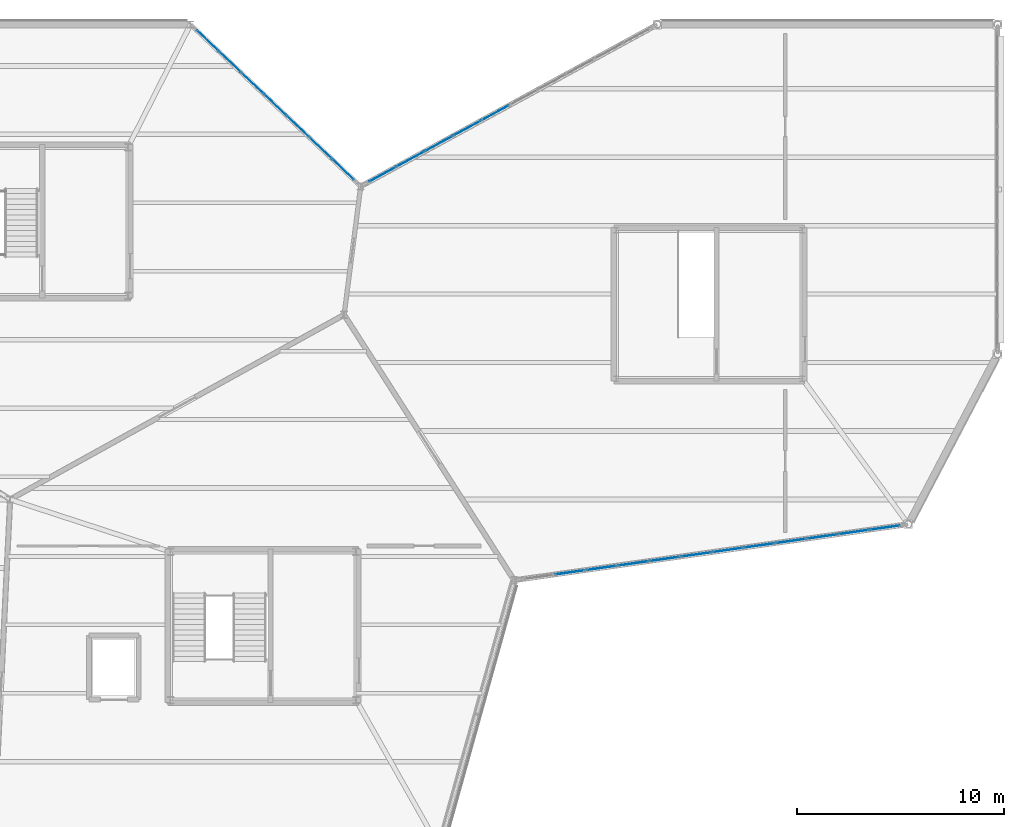
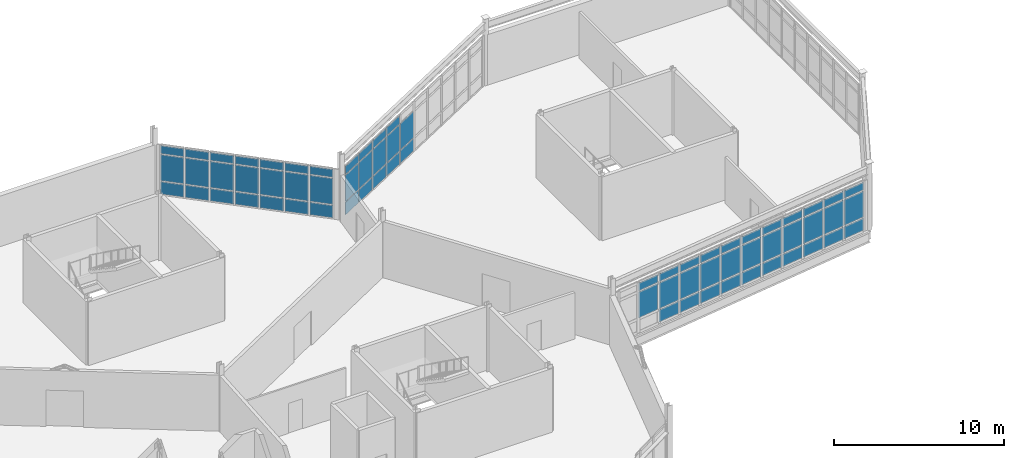
# One storey, part 82 of 114: 67 plates, 3 elements without a shape of their own.
"""IFC4 building model written with IfcOpenShell, lengths in metres."""

from ifc_helpers import new_model, si_unit, direction, frame, origin, origin_2d, place, context, subcontext, project, spatial, rectangle, extrude, material, layer, layer_set, type_object, element, aggregate, save


model = new_model("IFC4")

# Units and contexts
model_context = context("Model", 3, precision=1e-05, world=origin(), true_north=direction((0.0, 1.0)))
body_context = subcontext(model_context, "Body", "Model", "MODEL_VIEW")
ifc_project = project(units=[si_unit("LENGTHUNIT", "METRE"), si_unit("AREAUNIT", "SQUARE_METRE"), si_unit("VOLUMEUNIT", "CUBIC_METRE"), si_unit("PLANEANGLEUNIT", "RADIAN"), si_unit("MASSUNIT", "GRAM", prefix="KILO")], contexts=[model_context])

# Site, building, storey
site_placement = place(None, origin())
site = spatial("IfcSite", under=ifc_project, at=site_placement, CompositionType="ELEMENT")
building_placement = place(site_placement, origin())
building = spatial("IfcBuilding", under=site, at=building_placement, Name="Tameran Prism Museum", CompositionType="ELEMENT")
storey_placement = place(building_placement, frame((0.0, 0.0, 10.199951171875)))
storey = spatial("IfcBuildingStorey", under=building, at=storey_placement, Name="L02", CompositionType="ELEMENT", Elevation=10.199951171875)

# Curtain wall, plates
ifc_material_1 = material(Name="Anodised Aluminium 6063-T6 and Cyclone Solar Glass", Category="aluminium")
curtain_wall_type_1 = type_object("IfcCurtainWallType", Name="CW-FAC-1843x362", PredefinedType="USERDEFINED", material=ifc_material_1)
curtain_wall_1_placement = place(storey_placement, origin())
curtain_wall_1 = element("IfcCurtainWall", 1, at=curtain_wall_1_placement, inside=storey, type_object=curtain_wall_type_1, Name="Unitised Curtain Wall CW-102", ObjectType="UNITISED CURTAIN WALL", PredefinedType="USERDEFINED")
ifc_material_2 = material(Name="Low-E Laminated Solar Glass", Category="glass")
ifc_layer_1 = layer(ifc_material_2, 0.028076171875)
ifc_layer_set_1 = layer_set([ifc_layer_1])
plate_type_1 = type_object("IfcPlateType", Name="CW-PNL-G28", PredefinedType="CURTAIN_PANEL", material=ifc_layer_set_1)
plate_1_placement = place(storey_placement, frame((160.972900390625, 87.739990234375, 0.080078125), z_axis=(0.0, 0.0, 1.0), x_axis=(-0.990045842067, -0.1407452685, 0.0)))
plate_1 = element("IfcPlate", 2, at=plate_1_placement, type_object=plate_type_1, Name="CW-102 panel 1.1", PredefinedType="CURTAIN_PANEL", context=body_context, shape_type="SweptSolid", body=[
    extrude(rectangle(XDim=1.415771484375, YDim=0.028076171875, at=origin_2d()), origin(), (0.0, 0.0, 1.0), 0.8798828125),
])
plate_2_placement = place(storey_placement, frame((160.972900390625, 87.739990234375, 1.0400390625), z_axis=(0.0, 0.0, 1.0), x_axis=(-0.990045842067, -0.1407452685, 0.0)))
plate_2 = element("IfcPlate", 3, at=plate_2_placement, type_object=plate_type_1, Name="CW-102 panel 1.2", PredefinedType="CURTAIN_PANEL", context=body_context, shape_type="SweptSolid", body=[
    extrude(rectangle(XDim=1.415771484375, YDim=0.028076171875, at=origin_2d()), origin(), (0.0, 0.0, 1.0), 1.860107421875),
])
plate_3_placement = place(storey_placement, frame((160.972900390625, 87.739990234375, 2.97998046875), z_axis=(0.0, 0.0, 1.0), x_axis=(-0.990045842067, -0.1407452685, 0.0)))
plate_3 = element("IfcPlate", 4, at=plate_3_placement, type_object=plate_type_1, Name="CW-102 panel 1.3", PredefinedType="CURTAIN_PANEL", context=body_context, shape_type="SweptSolid", body=[
    extrude(rectangle(XDim=1.415771484375, YDim=0.028076171875, at=origin_2d()), origin(), (0.0, 0.0, 1.0), 0.56005859375),
])
plate_4_placement = place(storey_placement, frame((159.47216796875, 87.52685546875, 0.080078125), z_axis=(0.0, 0.0, 1.0), x_axis=(-0.990045842067, -0.1407452685, 0.0)))
plate_4 = element("IfcPlate", 5, at=plate_4_placement, type_object=plate_type_1, Name="CW-102 panel 2.1", PredefinedType="CURTAIN_PANEL", context=body_context, shape_type="SweptSolid", body=[
    extrude(rectangle(XDim=1.455810546875, YDim=0.028076171875, at=origin_2d()), origin(), (0.0, 0.0, 1.0), 0.8798828125),
])
plate_5_placement = place(storey_placement, frame((159.47216796875, 87.52685546875, 1.0400390625), z_axis=(0.0, 0.0, 1.0), x_axis=(-0.990045842067, -0.1407452685, 0.0)))
plate_5 = element("IfcPlate", 6, at=plate_5_placement, type_object=plate_type_1, Name="CW-102 panel 2.2", PredefinedType="CURTAIN_PANEL", context=body_context, shape_type="SweptSolid", body=[
    extrude(rectangle(XDim=1.455810546875, YDim=0.028076171875, at=origin_2d()), origin(), (0.0, 0.0, 1.0), 1.860107421875),
])
plate_6_placement = place(storey_placement, frame((159.47216796875, 87.52685546875, 2.97998046875), z_axis=(0.0, 0.0, 1.0), x_axis=(-0.990045842067, -0.1407452685, 0.0)))
plate_6 = element("IfcPlate", 7, at=plate_6_placement, type_object=plate_type_1, Name="CW-102 panel 2.3", PredefinedType="CURTAIN_PANEL", context=body_context, shape_type="SweptSolid", body=[
    extrude(rectangle(XDim=1.455810546875, YDim=0.028076171875, at=origin_2d()), origin(), (0.0, 0.0, 1.0), 0.56005859375),
])
plate_7_placement = place(storey_placement, frame((157.95166015625, 87.310546875, 0.080078125), z_axis=(0.0, 0.0, 1.0), x_axis=(-0.990045842067, -0.1407452685, 0.0)))
plate_7 = element("IfcPlate", 8, at=plate_7_placement, type_object=plate_type_1, Name="CW-102 panel 3.1", PredefinedType="CURTAIN_PANEL", context=body_context, shape_type="SweptSolid", body=[
    extrude(rectangle(XDim=1.455810546875, YDim=0.028076171875, at=origin_2d()), origin(), (0.0, 0.0, 1.0), 0.8798828125),
])
plate_8_placement = place(storey_placement, frame((157.95166015625, 87.310546875, 1.0400390625), z_axis=(0.0, 0.0, 1.0), x_axis=(-0.990045842067, -0.1407452685, 0.0)))
plate_8 = element("IfcPlate", 9, at=plate_8_placement, type_object=plate_type_1, Name="CW-102 panel 3.2", PredefinedType="CURTAIN_PANEL", context=body_context, shape_type="SweptSolid", body=[
    extrude(rectangle(XDim=1.455810546875, YDim=0.028076171875, at=origin_2d()), origin(), (0.0, 0.0, 1.0), 1.860107421875),
])
plate_9_placement = place(storey_placement, frame((157.95166015625, 87.310546875, 2.97998046875), z_axis=(0.0, 0.0, 1.0), x_axis=(-0.990045842067, -0.1407452685, 0.0)))
plate_9 = element("IfcPlate", 10, at=plate_9_placement, type_object=plate_type_1, Name="CW-102 panel 3.3", PredefinedType="CURTAIN_PANEL", context=body_context, shape_type="SweptSolid", body=[
    extrude(rectangle(XDim=1.455810546875, YDim=0.028076171875, at=origin_2d()), origin(), (0.0, 0.0, 1.0), 0.56005859375),
])
plate_10_placement = place(storey_placement, frame((156.430908203125, 87.094482421875, 0.080078125), z_axis=(0.0, 0.0, 1.0), x_axis=(-0.990045842067, -0.1407452685, 0.0)))
plate_10 = element("IfcPlate", 11, at=plate_10_placement, type_object=plate_type_1, Name="CW-102 panel 4.1", PredefinedType="CURTAIN_PANEL", context=body_context, shape_type="SweptSolid", body=[
    extrude(rectangle(XDim=1.455810546875, YDim=0.028076171875, at=origin_2d()), origin(), (0.0, 0.0, 1.0), 0.8798828125),
])
plate_11_placement = place(storey_placement, frame((156.430908203125, 87.094482421875, 1.0400390625), z_axis=(0.0, 0.0, 1.0), x_axis=(-0.990045842067, -0.1407452685, 0.0)))
plate_11 = element("IfcPlate", 12, at=plate_11_placement, type_object=plate_type_1, Name="CW-102 panel 4.2", PredefinedType="CURTAIN_PANEL", context=body_context, shape_type="SweptSolid", body=[
    extrude(rectangle(XDim=1.455810546875, YDim=0.028076171875, at=origin_2d()), origin(), (0.0, 0.0, 1.0), 1.860107421875),
])
plate_12_placement = place(storey_placement, frame((156.430908203125, 87.094482421875, 2.97998046875), z_axis=(0.0, 0.0, 1.0), x_axis=(-0.990045842067, -0.1407452685, 0.0)))
plate_12 = element("IfcPlate", 13, at=plate_12_placement, type_object=plate_type_1, Name="CW-102 panel 4.3", PredefinedType="CURTAIN_PANEL", context=body_context, shape_type="SweptSolid", body=[
    extrude(rectangle(XDim=1.455810546875, YDim=0.028076171875, at=origin_2d()), origin(), (0.0, 0.0, 1.0), 0.56005859375),
])
plate_13_placement = place(storey_placement, frame((154.910400390625, 86.878173828125, 0.080078125), z_axis=(0.0, 0.0, 1.0), x_axis=(-0.990045842067, -0.1407452685, 0.0)))
plate_13 = element("IfcPlate", 14, at=plate_13_placement, type_object=plate_type_1, Name="CW-102 panel 5.1", PredefinedType="CURTAIN_PANEL", context=body_context, shape_type="SweptSolid", body=[
    extrude(rectangle(XDim=1.455810546875, YDim=0.028076171875, at=origin_2d()), origin(), (0.0, 0.0, 1.0), 0.8798828125),
])
plate_14_placement = place(storey_placement, frame((154.910400390625, 86.878173828125, 1.0400390625), z_axis=(0.0, 0.0, 1.0), x_axis=(-0.990045842067, -0.1407452685, 0.0)))
plate_14 = element("IfcPlate", 15, at=plate_14_placement, type_object=plate_type_1, Name="CW-102 panel 5.2", PredefinedType="CURTAIN_PANEL", context=body_context, shape_type="SweptSolid", body=[
    extrude(rectangle(XDim=1.455810546875, YDim=0.028076171875, at=origin_2d()), origin(), (0.0, 0.0, 1.0), 1.860107421875),
])
plate_15_placement = place(storey_placement, frame((154.910400390625, 86.878173828125, 2.97998046875), z_axis=(0.0, 0.0, 1.0), x_axis=(-0.990045842067, -0.1407452685, 0.0)))
plate_15 = element("IfcPlate", 16, at=plate_15_placement, type_object=plate_type_1, Name="CW-102 panel 5.3", PredefinedType="CURTAIN_PANEL", context=body_context, shape_type="SweptSolid", body=[
    extrude(rectangle(XDim=1.455810546875, YDim=0.028076171875, at=origin_2d()), origin(), (0.0, 0.0, 1.0), 0.56005859375),
])
plate_16_placement = place(storey_placement, frame((153.389892578125, 86.662109375, 0.080078125), z_axis=(0.0, 0.0, 1.0), x_axis=(-0.990045842067, -0.1407452685, 0.0)))
plate_16 = element("IfcPlate", 17, at=plate_16_placement, type_object=plate_type_1, Name="CW-102 panel 6.1", PredefinedType="CURTAIN_PANEL", context=body_context, shape_type="SweptSolid", body=[
    extrude(rectangle(XDim=1.455810546875, YDim=0.028076171875, at=origin_2d()), origin(), (0.0, 0.0, 1.0), 0.8798828125),
])
plate_17_placement = place(storey_placement, frame((153.389892578125, 86.662109375, 1.0400390625), z_axis=(0.0, 0.0, 1.0), x_axis=(-0.990045842067, -0.1407452685, 0.0)))
plate_17 = element("IfcPlate", 18, at=plate_17_placement, type_object=plate_type_1, Name="CW-102 panel 6.2", PredefinedType="CURTAIN_PANEL", context=body_context, shape_type="SweptSolid", body=[
    extrude(rectangle(XDim=1.455810546875, YDim=0.028076171875, at=origin_2d()), origin(), (0.0, 0.0, 1.0), 1.860107421875),
])
plate_18_placement = place(storey_placement, frame((153.389892578125, 86.662109375, 2.97998046875), z_axis=(0.0, 0.0, 1.0), x_axis=(-0.990045842067, -0.1407452685, 0.0)))
plate_18 = element("IfcPlate", 19, at=plate_18_placement, type_object=plate_type_1, Name="CW-102 panel 6.3", PredefinedType="CURTAIN_PANEL", context=body_context, shape_type="SweptSolid", body=[
    extrude(rectangle(XDim=1.455810546875, YDim=0.028076171875, at=origin_2d()), origin(), (0.0, 0.0, 1.0), 0.56005859375),
])
plate_19_placement = place(storey_placement, frame((151.869140625, 86.44580078125, 0.080078125), z_axis=(0.0, 0.0, 1.0), x_axis=(-0.990045842067, -0.1407452685, 0.0)))
plate_19 = element("IfcPlate", 20, at=plate_19_placement, type_object=plate_type_1, Name="CW-102 panel 7.1", PredefinedType="CURTAIN_PANEL", context=body_context, shape_type="SweptSolid", body=[
    extrude(rectangle(XDim=1.455810546875, YDim=0.028076171875, at=origin_2d()), origin(), (0.0, 0.0, 1.0), 0.8798828125),
])
plate_20_placement = place(storey_placement, frame((151.869140625, 86.44580078125, 1.0400390625), z_axis=(0.0, 0.0, 1.0), x_axis=(-0.990045842067, -0.1407452685, 0.0)))
plate_20 = element("IfcPlate", 21, at=plate_20_placement, type_object=plate_type_1, Name="CW-102 panel 7.2", PredefinedType="CURTAIN_PANEL", context=body_context, shape_type="SweptSolid", body=[
    extrude(rectangle(XDim=1.455810546875, YDim=0.028076171875, at=origin_2d()), origin(), (0.0, 0.0, 1.0), 1.860107421875),
])
plate_21_placement = place(storey_placement, frame((151.869140625, 86.44580078125, 2.97998046875), z_axis=(0.0, 0.0, 1.0), x_axis=(-0.990045842067, -0.1407452685, 0.0)))
plate_21 = element("IfcPlate", 22, at=plate_21_placement, type_object=plate_type_1, Name="CW-102 panel 7.3", PredefinedType="CURTAIN_PANEL", context=body_context, shape_type="SweptSolid", body=[
    extrude(rectangle(XDim=1.455810546875, YDim=0.028076171875, at=origin_2d()), origin(), (0.0, 0.0, 1.0), 0.56005859375),
])
plate_22_placement = place(storey_placement, frame((150.3486328125, 86.229736328125, 0.080078125), z_axis=(0.0, 0.0, 1.0), x_axis=(-0.990045842067, -0.1407452685, 0.0)))
plate_22 = element("IfcPlate", 23, at=plate_22_placement, type_object=plate_type_1, Name="CW-102 panel 8.1", PredefinedType="CURTAIN_PANEL", context=body_context, shape_type="SweptSolid", body=[
    extrude(rectangle(XDim=1.455810546875, YDim=0.028076171875, at=origin_2d()), origin(), (0.0, 0.0, 1.0), 0.8798828125),
])
plate_23_placement = place(storey_placement, frame((150.3486328125, 86.229736328125, 1.0400390625), z_axis=(0.0, 0.0, 1.0), x_axis=(-0.990045842067, -0.1407452685, 0.0)))
plate_23 = element("IfcPlate", 24, at=plate_23_placement, type_object=plate_type_1, Name="CW-102 panel 8.2", PredefinedType="CURTAIN_PANEL", context=body_context, shape_type="SweptSolid", body=[
    extrude(rectangle(XDim=1.455810546875, YDim=0.028076171875, at=origin_2d()), origin(), (0.0, 0.0, 1.0), 1.860107421875),
])
plate_24_placement = place(storey_placement, frame((150.3486328125, 86.229736328125, 2.97998046875), z_axis=(0.0, 0.0, 1.0), x_axis=(-0.990045842067, -0.1407452685, 0.0)))
plate_24 = element("IfcPlate", 25, at=plate_24_placement, type_object=plate_type_1, Name="CW-102 panel 8.3", PredefinedType="CURTAIN_PANEL", context=body_context, shape_type="SweptSolid", body=[
    extrude(rectangle(XDim=1.455810546875, YDim=0.028076171875, at=origin_2d()), origin(), (0.0, 0.0, 1.0), 0.56005859375),
])
plate_25_placement = place(storey_placement, frame((148.828125, 86.013671875, 0.080078125), z_axis=(0.0, 0.0, 1.0), x_axis=(-0.990045842067, -0.1407452685, 0.0)))
plate_25 = element("IfcPlate", 26, at=plate_25_placement, type_object=plate_type_1, Name="CW-102 panel 9.1", PredefinedType="CURTAIN_PANEL", context=body_context, shape_type="SweptSolid", body=[
    extrude(rectangle(XDim=1.455810546875, YDim=0.028076171875, at=origin_2d()), origin(), (0.0, 0.0, 1.0), 0.8798828125),
])
plate_26_placement = place(storey_placement, frame((148.828125, 86.013671875, 1.0400390625), z_axis=(0.0, 0.0, 1.0), x_axis=(-0.990045842067, -0.1407452685, 0.0)))
plate_26 = element("IfcPlate", 27, at=plate_26_placement, type_object=plate_type_1, Name="CW-102 panel 9.2", PredefinedType="CURTAIN_PANEL", context=body_context, shape_type="SweptSolid", body=[
    extrude(rectangle(XDim=1.455810546875, YDim=0.028076171875, at=origin_2d()), origin(), (0.0, 0.0, 1.0), 1.860107421875),
])
plate_27_placement = place(storey_placement, frame((148.828125, 86.013671875, 2.97998046875), z_axis=(0.0, 0.0, 1.0), x_axis=(-0.990045842067, -0.1407452685, 0.0)))
plate_27 = element("IfcPlate", 28, at=plate_27_placement, type_object=plate_type_1, Name="CW-102 panel 9.3", PredefinedType="CURTAIN_PANEL", context=body_context, shape_type="SweptSolid", body=[
    extrude(rectangle(XDim=1.455810546875, YDim=0.028076171875, at=origin_2d()), origin(), (0.0, 0.0, 1.0), 0.56005859375),
])
plate_28_placement = place(storey_placement, frame((147.307373046875, 85.79736328125, 0.080078125), z_axis=(0.0, 0.0, 1.0), x_axis=(-0.990045842067, -0.1407452685, 0.0)))
plate_28 = element("IfcPlate", 29, at=plate_28_placement, type_object=plate_type_1, Name="CW-102 panel 10.1", PredefinedType="CURTAIN_PANEL", context=body_context, shape_type="SweptSolid", body=[
    extrude(rectangle(XDim=1.455810546875, YDim=0.028076171875, at=origin_2d()), origin(), (0.0, 0.0, 1.0), 0.8798828125),
])
plate_29_placement = place(storey_placement, frame((147.307373046875, 85.79736328125, 1.0400390625), z_axis=(0.0, 0.0, 1.0), x_axis=(-0.990045842067, -0.1407452685, 0.0)))
plate_29 = element("IfcPlate", 30, at=plate_29_placement, type_object=plate_type_1, Name="CW-102 panel 10.2", PredefinedType="CURTAIN_PANEL", context=body_context, shape_type="SweptSolid", body=[
    extrude(rectangle(XDim=1.455810546875, YDim=0.028076171875, at=origin_2d()), origin(), (0.0, 0.0, 1.0), 1.860107421875),
])
plate_30_placement = place(storey_placement, frame((147.307373046875, 85.79736328125, 2.97998046875), z_axis=(0.0, 0.0, 1.0), x_axis=(-0.990045842067, -0.1407452685, 0.0)))
plate_30 = element("IfcPlate", 31, at=plate_30_placement, type_object=plate_type_1, Name="CW-102 panel 10.3", PredefinedType="CURTAIN_PANEL", context=body_context, shape_type="SweptSolid", body=[
    extrude(rectangle(XDim=1.455810546875, YDim=0.028076171875, at=origin_2d()), origin(), (0.0, 0.0, 1.0), 0.56005859375),
])
plate_31_placement = place(storey_placement, frame((145.786865234375, 85.581298828125, 1.0400390625), z_axis=(0.0, 0.0, 1.0), x_axis=(-0.990045842067, -0.1407452685, 0.0)))
plate_31 = element("IfcPlate", 32, at=plate_31_placement, type_object=plate_type_1, Name="CW-102 panel 11.2", PredefinedType="CURTAIN_PANEL", context=body_context, shape_type="SweptSolid", body=[
    extrude(rectangle(XDim=1.455810546875, YDim=0.028076171875, at=origin_2d()), origin(), (0.0, 0.0, 1.0), 1.860107421875),
])
plate_32_placement = place(storey_placement, frame((145.786865234375, 85.581298828125, 2.97998046875), z_axis=(0.0, 0.0, 1.0), x_axis=(-0.990045842067, -0.1407452685, 0.0)))
plate_32 = element("IfcPlate", 33, at=plate_32_placement, type_object=plate_type_1, Name="CW-102 panel 11.3", PredefinedType="CURTAIN_PANEL", context=body_context, shape_type="SweptSolid", body=[
    extrude(rectangle(XDim=1.455810546875, YDim=0.028076171875, at=origin_2d()), origin(), (0.0, 0.0, 1.0), 0.56005859375),
])
aggregate(curtain_wall_1, [plate_1, plate_2, plate_3, plate_4, plate_5, plate_6, plate_7, plate_8, plate_9, plate_10, plate_11, plate_12, plate_13, plate_14, plate_15, plate_16, plate_17, plate_18, plate_19, plate_20, plate_21, plate_22, plate_23, plate_24, plate_25, plate_26, plate_27, plate_28, plate_29, plate_30, plate_31, plate_32])

ifc_material_3 = material(Name="Anodised Aluminium 6063-T6 and Cyclone Solar Glass", Category="aluminium")
curtain_wall_type_2 = type_object("IfcCurtainWallType", Name="CW-FAC-1056x362", PredefinedType="USERDEFINED", material=ifc_material_3)
curtain_wall_2_placement = place(storey_placement, origin())
curtain_wall_2 = element("IfcCurtainWall", 34, at=curtain_wall_2_placement, inside=storey, type_object=curtain_wall_type_2, Name="Unitised Curtain Wall CW-100", ObjectType="UNITISED CURTAIN WALL", PredefinedType="USERDEFINED")
ifc_material_4 = material(Name="Cyclone Laminated Solar Glass", Category="glass")
ifc_layer_2 = layer(ifc_material_4, 0.031982421875)
ifc_layer_set_2 = layer_set([ifc_layer_2])
plate_type_2 = type_object("IfcPlateType", Name="CW-PNL-G32", PredefinedType="CURTAIN_PANEL", material=ifc_layer_set_2)
plate_33_placement = place(storey_placement, frame((128.31298828125, 111.22705078125, 0.070068359375), z_axis=(0.0, 0.0, 1.0), x_axis=(0.724504990922, -0.689269554042, 0.0)))
plate_33 = element("IfcPlate", 35, at=plate_33_placement, type_object=plate_type_2, Name="CW-100 panel 1.1", PredefinedType="CURTAIN_PANEL", context=body_context, shape_type="SweptSolid", body=[
    extrude(rectangle(XDim=1.4033203125, YDim=0.031982421875, at=origin_2d()), origin(), (0.0, 0.0, 1.0), 0.89501953125),
])
plate_34_placement = place(storey_placement, frame((128.31298828125, 111.22705078125, 1.034912109375), z_axis=(0.0, 0.0, 1.0), x_axis=(0.724504990922, -0.689269554042, 0.0)))
plate_34 = element("IfcPlate", 36, at=plate_34_placement, type_object=plate_type_2, Name="CW-100 panel 1.2", PredefinedType="CURTAIN_PANEL", context=body_context, shape_type="SweptSolid", body=[
    extrude(rectangle(XDim=1.4033203125, YDim=0.031982421875, at=origin_2d()), origin(), (0.0, 0.0, 1.0), 1.8701171875),
])
plate_35_placement = place(storey_placement, frame((128.31298828125, 111.22705078125, 2.97509765625), z_axis=(0.0, 0.0, 1.0), x_axis=(0.724504990922, -0.689269554042, 0.0)))
plate_35 = element("IfcPlate", 37, at=plate_35_placement, type_object=plate_type_2, Name="CW-100 panel 1.3", PredefinedType="CURTAIN_PANEL", context=body_context, shape_type="SweptSolid", body=[
    extrude(rectangle(XDim=1.4033203125, YDim=0.031982421875, at=origin_2d()), origin(), (0.0, 0.0, 1.0), 0.574951171875),
])
plate_36_placement = place(storey_placement, frame((129.39306640625, 110.19970703125, 0.070068359375), z_axis=(0.0, 0.0, 1.0), x_axis=(0.724504990922, -0.689269554042, 0.0)))
plate_36 = element("IfcPlate", 38, at=plate_36_placement, type_object=plate_type_2, Name="CW-100 panel 2.1", PredefinedType="CURTAIN_PANEL", context=body_context, shape_type="SweptSolid", body=[
    extrude(rectangle(XDim=1.438232421875, YDim=0.031982421875, at=origin_2d()), origin(), (0.0, 0.0, 1.0), 0.89501953125),
])
plate_37_placement = place(storey_placement, frame((129.39306640625, 110.19970703125, 1.034912109375), z_axis=(0.0, 0.0, 1.0), x_axis=(0.724504990922, -0.689269554042, 0.0)))
plate_37 = element("IfcPlate", 39, at=plate_37_placement, type_object=plate_type_2, Name="CW-100 panel 2.2", PredefinedType="CURTAIN_PANEL", context=body_context, shape_type="SweptSolid", body=[
    extrude(rectangle(XDim=1.438232421875, YDim=0.031982421875, at=origin_2d()), origin(), (0.0, 0.0, 1.0), 1.8701171875),
])
plate_38_placement = place(storey_placement, frame((129.39306640625, 110.19970703125, 2.97509765625), z_axis=(0.0, 0.0, 1.0), x_axis=(0.724504990922, -0.689269554042, 0.0)))
plate_38 = element("IfcPlate", 40, at=plate_38_placement, type_object=plate_type_2, Name="CW-100 panel 2.3", PredefinedType="CURTAIN_PANEL", context=body_context, shape_type="SweptSolid", body=[
    extrude(rectangle(XDim=1.438232421875, YDim=0.031982421875, at=origin_2d()), origin(), (0.0, 0.0, 1.0), 0.574951171875),
])
plate_39_placement = place(storey_placement, frame((130.48583984375, 109.16015625, 0.070068359375), z_axis=(0.0, 0.0, 1.0), x_axis=(0.724504990922, -0.689269554042, 0.0)))
plate_39 = element("IfcPlate", 41, at=plate_39_placement, type_object=plate_type_2, Name="CW-100 panel 3.1", PredefinedType="CURTAIN_PANEL", context=body_context, shape_type="SweptSolid", body=[
    extrude(rectangle(XDim=1.438232421875, YDim=0.031982421875, at=origin_2d()), origin(), (0.0, 0.0, 1.0), 0.89501953125),
])
plate_40_placement = place(storey_placement, frame((130.48583984375, 109.16015625, 1.034912109375), z_axis=(0.0, 0.0, 1.0), x_axis=(0.724504990922, -0.689269554042, 0.0)))
plate_40 = element("IfcPlate", 42, at=plate_40_placement, type_object=plate_type_2, Name="CW-100 panel 3.2", PredefinedType="CURTAIN_PANEL", context=body_context, shape_type="SweptSolid", body=[
    extrude(rectangle(XDim=1.438232421875, YDim=0.031982421875, at=origin_2d()), origin(), (0.0, 0.0, 1.0), 1.8701171875),
])
plate_41_placement = place(storey_placement, frame((130.48583984375, 109.16015625, 2.97509765625), z_axis=(0.0, 0.0, 1.0), x_axis=(0.724504990922, -0.689269554042, 0.0)))
plate_41 = element("IfcPlate", 43, at=plate_41_placement, type_object=plate_type_2, Name="CW-100 panel 3.3", PredefinedType="CURTAIN_PANEL", context=body_context, shape_type="SweptSolid", body=[
    extrude(rectangle(XDim=1.438232421875, YDim=0.031982421875, at=origin_2d()), origin(), (0.0, 0.0, 1.0), 0.574951171875),
])
plate_42_placement = place(storey_placement, frame((131.57861328125, 108.12060546875, 0.070068359375), z_axis=(0.0, 0.0, 1.0), x_axis=(0.724504990922, -0.689269554042, 0.0)))
plate_42 = element("IfcPlate", 44, at=plate_42_placement, type_object=plate_type_2, Name="CW-100 panel 4.1", PredefinedType="CURTAIN_PANEL", context=body_context, shape_type="SweptSolid", body=[
    extrude(rectangle(XDim=1.438232421875, YDim=0.031982421875, at=origin_2d()), origin(), (0.0, 0.0, 1.0), 0.89501953125),
])
plate_43_placement = place(storey_placement, frame((131.57861328125, 108.12060546875, 1.034912109375), z_axis=(0.0, 0.0, 1.0), x_axis=(0.724504990922, -0.689269554042, 0.0)))
plate_43 = element("IfcPlate", 45, at=plate_43_placement, type_object=plate_type_2, Name="CW-100 panel 4.2", PredefinedType="CURTAIN_PANEL", context=body_context, shape_type="SweptSolid", body=[
    extrude(rectangle(XDim=1.438232421875, YDim=0.031982421875, at=origin_2d()), origin(), (0.0, 0.0, 1.0), 1.8701171875),
])
plate_44_placement = place(storey_placement, frame((131.57861328125, 108.12060546875, 2.97509765625), z_axis=(0.0, 0.0, 1.0), x_axis=(0.724504990922, -0.689269554042, 0.0)))
plate_44 = element("IfcPlate", 46, at=plate_44_placement, type_object=plate_type_2, Name="CW-100 panel 4.3", PredefinedType="CURTAIN_PANEL", context=body_context, shape_type="SweptSolid", body=[
    extrude(rectangle(XDim=1.438232421875, YDim=0.031982421875, at=origin_2d()), origin(), (0.0, 0.0, 1.0), 0.574951171875),
])
plate_45_placement = place(storey_placement, frame((132.671142578125, 107.080810546875, 0.070068359375), z_axis=(0.0, 0.0, 1.0), x_axis=(0.724504990922, -0.689269554042, 0.0)))
plate_45 = element("IfcPlate", 47, at=plate_45_placement, type_object=plate_type_2, Name="CW-100 panel 5.1", PredefinedType="CURTAIN_PANEL", context=body_context, shape_type="SweptSolid", body=[
    extrude(rectangle(XDim=1.438232421875, YDim=0.031982421875, at=origin_2d()), origin(), (0.0, 0.0, 1.0), 0.89501953125),
])
plate_46_placement = place(storey_placement, frame((132.671142578125, 107.080810546875, 1.034912109375), z_axis=(0.0, 0.0, 1.0), x_axis=(0.724504990922, -0.689269554042, 0.0)))
plate_46 = element("IfcPlate", 48, at=plate_46_placement, type_object=plate_type_2, Name="CW-100 panel 5.2", PredefinedType="CURTAIN_PANEL", context=body_context, shape_type="SweptSolid", body=[
    extrude(rectangle(XDim=1.438232421875, YDim=0.031982421875, at=origin_2d()), origin(), (0.0, 0.0, 1.0), 1.8701171875),
])
plate_47_placement = place(storey_placement, frame((132.671142578125, 107.080810546875, 2.97509765625), z_axis=(0.0, 0.0, 1.0), x_axis=(0.724504990922, -0.689269554042, 0.0)))
plate_47 = element("IfcPlate", 49, at=plate_47_placement, type_object=plate_type_2, Name="CW-100 panel 5.3", PredefinedType="CURTAIN_PANEL", context=body_context, shape_type="SweptSolid", body=[
    extrude(rectangle(XDim=1.438232421875, YDim=0.031982421875, at=origin_2d()), origin(), (0.0, 0.0, 1.0), 0.574951171875),
])
plate_48_placement = place(storey_placement, frame((133.763916015625, 106.041259765625, 0.070068359375), z_axis=(0.0, 0.0, 1.0), x_axis=(0.724504990922, -0.689269554042, 0.0)))
plate_48 = element("IfcPlate", 50, at=plate_48_placement, type_object=plate_type_2, Name="CW-100 panel 6.1", PredefinedType="CURTAIN_PANEL", context=body_context, shape_type="SweptSolid", body=[
    extrude(rectangle(XDim=1.438232421875, YDim=0.031982421875, at=origin_2d()), origin(), (0.0, 0.0, 1.0), 0.89501953125),
])
plate_49_placement = place(storey_placement, frame((133.763916015625, 106.041259765625, 1.034912109375), z_axis=(0.0, 0.0, 1.0), x_axis=(0.724504990922, -0.689269554042, 0.0)))
plate_49 = element("IfcPlate", 51, at=plate_49_placement, type_object=plate_type_2, Name="CW-100 panel 6.2", PredefinedType="CURTAIN_PANEL", context=body_context, shape_type="SweptSolid", body=[
    extrude(rectangle(XDim=1.438232421875, YDim=0.031982421875, at=origin_2d()), origin(), (0.0, 0.0, 1.0), 1.8701171875),
])
plate_50_placement = place(storey_placement, frame((133.763916015625, 106.041259765625, 2.97509765625), z_axis=(0.0, 0.0, 1.0), x_axis=(0.724504990922, -0.689269554042, 0.0)))
plate_50 = element("IfcPlate", 52, at=plate_50_placement, type_object=plate_type_2, Name="CW-100 panel 6.3", PredefinedType="CURTAIN_PANEL", context=body_context, shape_type="SweptSolid", body=[
    extrude(rectangle(XDim=1.438232421875, YDim=0.031982421875, at=origin_2d()), origin(), (0.0, 0.0, 1.0), 0.574951171875),
])
plate_51_placement = place(storey_placement, frame((134.843994140625, 105.013916015625, 0.070068359375), z_axis=(0.0, 0.0, 1.0), x_axis=(0.724504990922, -0.689269554042, 0.0)))
plate_51 = element("IfcPlate", 53, at=plate_51_placement, type_object=plate_type_2, Name="CW-100 panel 7.1", PredefinedType="CURTAIN_PANEL", context=body_context, shape_type="SweptSolid", body=[
    extrude(rectangle(XDim=1.4033203125, YDim=0.031982421875, at=origin_2d()), origin(), (0.0, 0.0, 1.0), 0.89501953125),
])
plate_52_placement = place(storey_placement, frame((134.843994140625, 105.013916015625, 1.034912109375), z_axis=(0.0, 0.0, 1.0), x_axis=(0.724504990922, -0.689269554042, 0.0)))
plate_52 = element("IfcPlate", 54, at=plate_52_placement, type_object=plate_type_2, Name="CW-100 panel 7.2", PredefinedType="CURTAIN_PANEL", context=body_context, shape_type="SweptSolid", body=[
    extrude(rectangle(XDim=1.4033203125, YDim=0.031982421875, at=origin_2d()), origin(), (0.0, 0.0, 1.0), 1.8701171875),
])
plate_53_placement = place(storey_placement, frame((134.843994140625, 105.013916015625, 2.97509765625), z_axis=(0.0, 0.0, 1.0), x_axis=(0.724504990922, -0.689269554042, 0.0)))
plate_53 = element("IfcPlate", 55, at=plate_53_placement, type_object=plate_type_2, Name="CW-100 panel 7.3", PredefinedType="CURTAIN_PANEL", context=body_context, shape_type="SweptSolid", body=[
    extrude(rectangle(XDim=1.4033203125, YDim=0.031982421875, at=origin_2d()), origin(), (0.0, 0.0, 1.0), 0.574951171875),
])
aggregate(curtain_wall_2, [plate_33, plate_34, plate_35, plate_36, plate_37, plate_38, plate_39, plate_40, plate_41, plate_42, plate_43, plate_44, plate_45, plate_46, plate_47, plate_48, plate_49, plate_50, plate_51, plate_52, plate_53])

ifc_material_5 = material(Name="Anodised Aluminium 6063-T6 and Cyclone Solar Glass", Category="aluminium")
curtain_wall_type_3 = type_object("IfcCurtainWallType", Name="CW-FAC-1553x362", PredefinedType="USERDEFINED", material=ifc_material_5)
curtain_wall_3_placement = place(storey_placement, origin())
curtain_wall_3 = element("IfcCurtainWall", 56, at=curtain_wall_3_placement, inside=storey, type_object=curtain_wall_type_3, Name="Unitised Curtain Wall CW-104", ObjectType="UNITISED CURTAIN WALL", PredefinedType="USERDEFINED")
plate_54_placement = place(storey_placement, frame((136.757080078125, 104.777099609375, 0.070068359375), z_axis=(0.0, 0.0, 1.0), x_axis=(0.877927564486, 0.478793474805, 0.0)))
plate_54 = element("IfcPlate", 57, at=plate_54_placement, type_object=plate_type_2, Name="CW-104 panel 1.1", PredefinedType="CURTAIN_PANEL", context=body_context, shape_type="SweptSolid", body=[
    extrude(rectangle(XDim=1.44775390625, YDim=0.031982421875, at=origin_2d()), origin(), (0.0, 0.0, 1.0), 0.89501953125),
])
plate_55_placement = place(storey_placement, frame((136.757080078125, 104.777099609375, 1.034912109375), z_axis=(0.0, 0.0, 1.0), x_axis=(0.877927564486, 0.478793474805, 0.0)))
plate_55 = element("IfcPlate", 58, at=plate_55_placement, type_object=plate_type_2, Name="CW-104 panel 1.2", PredefinedType="CURTAIN_PANEL", context=body_context, shape_type="SweptSolid", body=[
    extrude(rectangle(XDim=1.44775390625, YDim=0.031982421875, at=origin_2d()), origin(), (0.0, 0.0, 1.0), 1.8701171875),
])
plate_56_placement = place(storey_placement, frame((136.757080078125, 104.777099609375, 2.97509765625), z_axis=(0.0, 0.0, 1.0), x_axis=(0.877927564486, 0.478793474805, 0.0)))
plate_56 = element("IfcPlate", 59, at=plate_56_placement, type_object=plate_type_2, Name="CW-104 panel 1.3", PredefinedType="CURTAIN_PANEL", context=body_context, shape_type="SweptSolid", body=[
    extrude(rectangle(XDim=1.44775390625, YDim=0.031982421875, at=origin_2d()), origin(), (0.0, 0.0, 1.0), 0.574951171875),
])
plate_57_placement = place(storey_placement, frame((138.10498046875, 105.51220703125, 0.070068359375), z_axis=(0.0, 0.0, 1.0), x_axis=(0.877927564486, 0.478793474805, 0.0)))
plate_57 = element("IfcPlate", 60, at=plate_57_placement, type_object=plate_type_2, Name="CW-104 panel 2.1", PredefinedType="CURTAIN_PANEL", context=body_context, shape_type="SweptSolid", body=[
    extrude(rectangle(XDim=1.48291015625, YDim=0.031982421875, at=origin_2d()), origin(), (0.0, 0.0, 1.0), 0.89501953125),
])
plate_58_placement = place(storey_placement, frame((138.10498046875, 105.51220703125, 1.034912109375), z_axis=(0.0, 0.0, 1.0), x_axis=(0.877927564486, 0.478793474805, 0.0)))
plate_58 = element("IfcPlate", 61, at=plate_58_placement, type_object=plate_type_2, Name="CW-104 panel 2.2", PredefinedType="CURTAIN_PANEL", context=body_context, shape_type="SweptSolid", body=[
    extrude(rectangle(XDim=1.48291015625, YDim=0.031982421875, at=origin_2d()), origin(), (0.0, 0.0, 1.0), 1.8701171875),
])
plate_59_placement = place(storey_placement, frame((138.10498046875, 105.51220703125, 2.97509765625), z_axis=(0.0, 0.0, 1.0), x_axis=(0.877927564486, 0.478793474805, 0.0)))
plate_59 = element("IfcPlate", 62, at=plate_59_placement, type_object=plate_type_2, Name="CW-104 panel 2.3", PredefinedType="CURTAIN_PANEL", context=body_context, shape_type="SweptSolid", body=[
    extrude(rectangle(XDim=1.48291015625, YDim=0.031982421875, at=origin_2d()), origin(), (0.0, 0.0, 1.0), 0.574951171875),
])
plate_60_placement = place(storey_placement, frame((139.46826171875, 106.255859375, 0.070068359375), z_axis=(0.0, 0.0, 1.0), x_axis=(0.877927564486, 0.478793474805, 0.0)))
plate_60 = element("IfcPlate", 63, at=plate_60_placement, type_object=plate_type_2, Name="CW-104 panel 3.1", PredefinedType="CURTAIN_PANEL", context=body_context, shape_type="SweptSolid", body=[
    extrude(rectangle(XDim=1.48291015625, YDim=0.031982421875, at=origin_2d()), origin(), (0.0, 0.0, 1.0), 0.89501953125),
])
plate_61_placement = place(storey_placement, frame((139.46826171875, 106.255859375, 1.034912109375), z_axis=(0.0, 0.0, 1.0), x_axis=(0.877927564486, 0.478793474805, 0.0)))
plate_61 = element("IfcPlate", 64, at=plate_61_placement, type_object=plate_type_2, Name="CW-104 panel 3.2", PredefinedType="CURTAIN_PANEL", context=body_context, shape_type="SweptSolid", body=[
    extrude(rectangle(XDim=1.48291015625, YDim=0.031982421875, at=origin_2d()), origin(), (0.0, 0.0, 1.0), 1.8701171875),
])
plate_62_placement = place(storey_placement, frame((139.46826171875, 106.255859375, 2.97509765625), z_axis=(0.0, 0.0, 1.0), x_axis=(0.877927564486, 0.478793474805, 0.0)))
plate_62 = element("IfcPlate", 65, at=plate_62_placement, type_object=plate_type_2, Name="CW-104 panel 3.3", PredefinedType="CURTAIN_PANEL", context=body_context, shape_type="SweptSolid", body=[
    extrude(rectangle(XDim=1.48291015625, YDim=0.031982421875, at=origin_2d()), origin(), (0.0, 0.0, 1.0), 0.574951171875),
])
plate_63_placement = place(storey_placement, frame((140.83154296875, 106.999267578125, 0.070068359375), z_axis=(0.0, 0.0, 1.0), x_axis=(0.877927564486, 0.478793474805, 0.0)))
plate_63 = element("IfcPlate", 66, at=plate_63_placement, type_object=plate_type_2, Name="CW-104 panel 4.1", PredefinedType="CURTAIN_PANEL", context=body_context, shape_type="SweptSolid", body=[
    extrude(rectangle(XDim=1.48291015625, YDim=0.031982421875, at=origin_2d()), origin(), (0.0, 0.0, 1.0), 0.89501953125),
])
plate_64_placement = place(storey_placement, frame((140.83154296875, 106.999267578125, 1.034912109375), z_axis=(0.0, 0.0, 1.0), x_axis=(0.877927564486, 0.478793474805, 0.0)))
plate_64 = element("IfcPlate", 67, at=plate_64_placement, type_object=plate_type_2, Name="CW-104 panel 4.2", PredefinedType="CURTAIN_PANEL", context=body_context, shape_type="SweptSolid", body=[
    extrude(rectangle(XDim=1.48291015625, YDim=0.031982421875, at=origin_2d()), origin(), (0.0, 0.0, 1.0), 1.8701171875),
])
plate_65_placement = place(storey_placement, frame((140.83154296875, 106.999267578125, 2.97509765625), z_axis=(0.0, 0.0, 1.0), x_axis=(0.877927564486, 0.478793474805, 0.0)))
plate_65 = element("IfcPlate", 68, at=plate_65_placement, type_object=plate_type_2, Name="CW-104 panel 4.3", PredefinedType="CURTAIN_PANEL", context=body_context, shape_type="SweptSolid", body=[
    extrude(rectangle(XDim=1.48291015625, YDim=0.031982421875, at=origin_2d()), origin(), (0.0, 0.0, 1.0), 0.574951171875),
])
plate_66_placement = place(storey_placement, frame((142.19482421875, 107.74267578125, 0.070068359375), z_axis=(0.0, 0.0, 1.0), x_axis=(0.877927564486, 0.478793474805, 0.0)))
plate_66 = element("IfcPlate", 69, at=plate_66_placement, type_object=plate_type_2, Name="CW-104 panel 5.1", PredefinedType="CURTAIN_PANEL", context=body_context, shape_type="SweptSolid", body=[
    extrude(rectangle(XDim=1.48291015625, YDim=0.031982421875, at=origin_2d()), origin(), (0.0, 0.0, 1.0), 0.89501953125),
])
plate_67_placement = place(storey_placement, frame((142.19482421875, 107.74267578125, 1.034912109375), z_axis=(0.0, 0.0, 1.0), x_axis=(0.877927564486, 0.478793474805, 0.0)))
plate_67 = element("IfcPlate", 70, at=plate_67_placement, type_object=plate_type_2, Name="CW-104 panel 5.2", PredefinedType="CURTAIN_PANEL", context=body_context, shape_type="SweptSolid", body=[
    extrude(rectangle(XDim=1.48291015625, YDim=0.031982421875, at=origin_2d()), origin(), (0.0, 0.0, 1.0), 1.8701171875),
])
aggregate(curtain_wall_3, [plate_54, plate_55, plate_56, plate_57, plate_58, plate_59, plate_60, plate_61, plate_62, plate_63, plate_64, plate_65, plate_66, plate_67])

save(model, "model.ifc")
